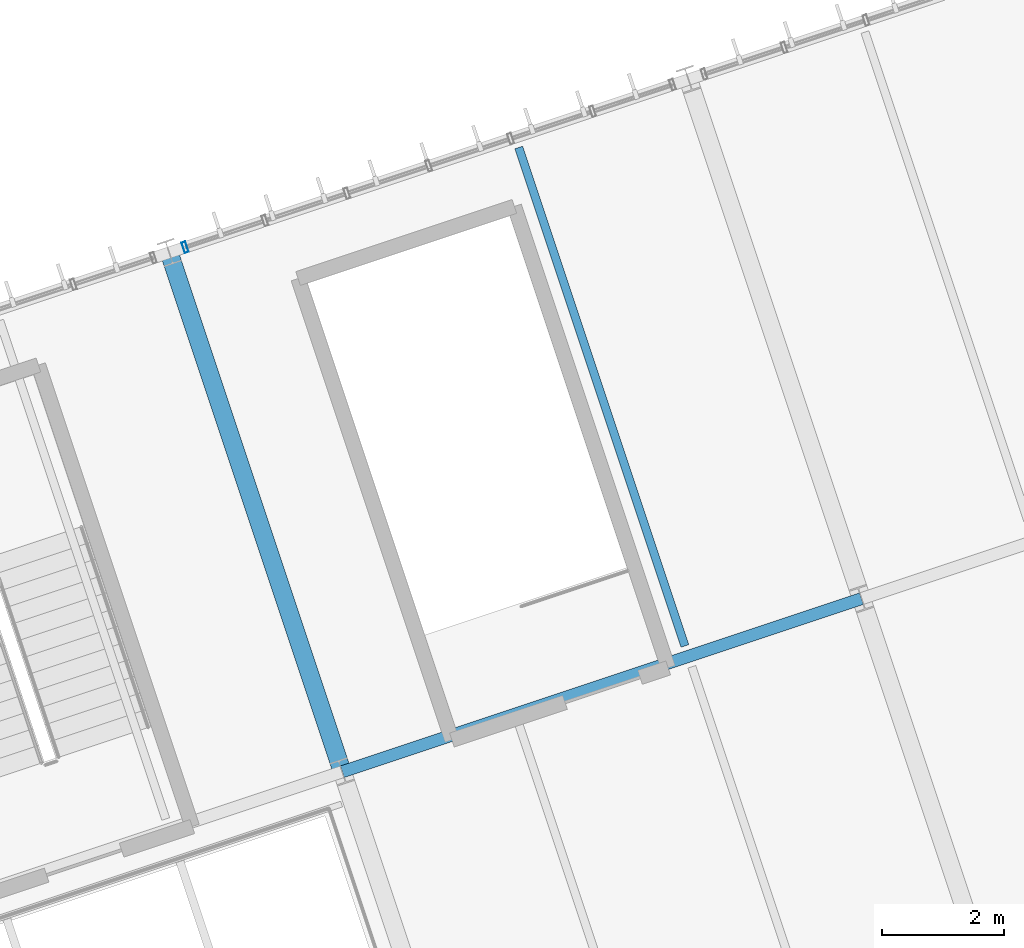
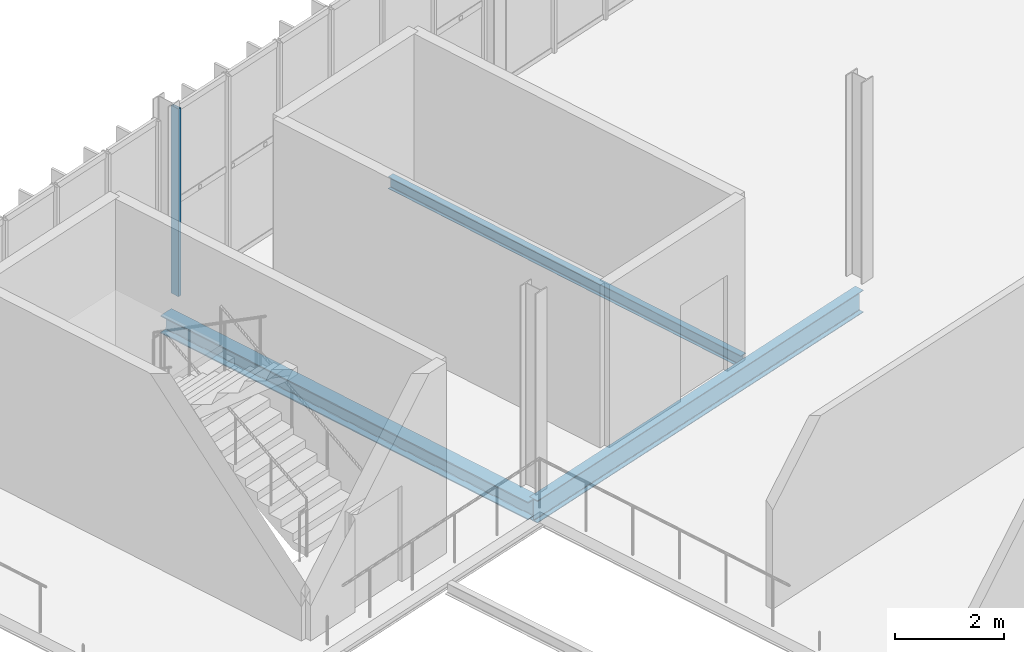
# One storey, part 88 of 152: 3 beams, 1 member, 1 element without a shape of its own.
"""IFC4 building model written with IfcOpenShell, lengths in metres."""

from ifc_helpers import new_model, si_unit, derived_unit, direction, frame, origin, origin_2d, place, context, subcontext, project, spatial, hollow_rectangle, i_section, extrude, material, material_profile, profile_set, type_object, element, aggregate, save


model = new_model("IFC4")

# Units and contexts
model_context = context("Model", 3, precision=1e-05, world=origin(), true_north=direction((0.0, 1.0)))
body_context = subcontext(model_context, "Body", "Model", "MODEL_VIEW")
ifc_project = project(units=[si_unit("LENGTHUNIT", "METRE"), si_unit("AREAUNIT", "SQUARE_METRE"), si_unit("VOLUMEUNIT", "CUBIC_METRE"), si_unit("PLANEANGLEUNIT", "RADIAN"), si_unit("MASSUNIT", "GRAM", prefix="KILO"), si_unit("THERMODYNAMICTEMPERATUREUNIT", "KELVIN"), si_unit("TIMEUNIT", "SECOND"), derived_unit("THERMALTRANSMITTANCEUNIT", [(si_unit("MASSUNIT", "GRAM", prefix="KILO"), 1), (si_unit("THERMODYNAMICTEMPERATUREUNIT", "KELVIN"), -1), (si_unit("TIMEUNIT", "SECOND"), -3)])], contexts=[model_context])

# Site, building, storey
site_placement = place(None, origin())
site = spatial("IfcSite", under=ifc_project, at=site_placement, CompositionType="ELEMENT")
building_placement = place(site_placement, origin())
building = spatial("IfcBuilding", under=site, at=building_placement, Name="Cambertide Market Hall", CompositionType="ELEMENT")
storey_placement = place(building_placement, frame((0.0, 0.0, 5.39990234375)))
storey = spatial("IfcBuildingStorey", under=building, at=storey_placement, Name="L02", CompositionType="ELEMENT", Elevation=5.39990234375)

# Curtain wall, member
ifc_material_1 = material(Name="Marine Anodized Aluminium 6063-T6 AA25", Category="aluminium")
curtain_wall_type = type_object("IfcCurtainWallType", Name="Food Court Upper Glazed Facade", PredefinedType="USERDEFINED", material=ifc_material_1)
curtain_wall_placement = place(storey_placement, origin())
curtain_wall = element("IfcCurtainWall", 1, at=curtain_wall_placement, inside=storey, type_object=curtain_wall_type, Name="Level 2 Curtain Wall CW-V3N-L02-6", ObjectType="UNITIZED CURTAIN WALL", PredefinedType="USERDEFINED")
ifc_material_2 = material(Name="Champagne Marine Anodized Aluminium 6063-T6 AA25", Category="aluminium")
ifc_material_profile_1 = material_profile(ifc_material_2, hollow_rectangle(XDim=0.06494140625, YDim=0.179931640625, WallThickness=0.00390625, at=origin_2d()), Name="ALU MULLION 65x180")
ifc_profile_set_1 = profile_set([ifc_material_profile_1], Name="Champagne Marine Anodized Aluminium 6063-T6 AA25")
member_type = type_object("IfcMemberType", Name="Curtain Wall Mullion ALU MULLION 65x180", PredefinedType="MULLION", material=ifc_profile_set_1)
member_placement = place(storey_placement, frame((140.41357421875, 51.931640625, 0.0), z_axis=(0.0, 0.0, 1.0), x_axis=(0.948683274577, 0.316227836438, 0.0)))
member = element("IfcMember", 2, at=member_placement, type_object=member_type, Name="CW-V3N-L02-6 Mullion 1", PredefinedType="MULLION", context=body_context, shape_type="SweptSolid", body=[
    extrude(hollow_rectangle(XDim=0.06494140625, YDim=0.179931640625, WallThickness=0.00390625, at=origin_2d()), origin(), (0.0, 0.0, 1.0), 4.2001953125),
])
aggregate(curtain_wall, [member])

# Beams
ifc_material_3 = material(Name="Steel S355", Category="steel")
ifc_material_profile_2 = material_profile(ifc_material_3, i_section(OverallWidth=0.300048828125, OverallDepth=0.39990234375, WebThickness=0.013427734375, FlangeThickness=0.02392578125, FilletRadius=0.027099609375, at=origin_2d()), Name="HEB 400")
ifc_profile_set_2 = profile_set([ifc_material_profile_2], Name="Steel S355")
beam_type_1 = type_object("IfcBeamType", Name="Steel Girder HEB 400", PredefinedType="BEAM", material=ifc_profile_set_2)
beam_1_placement = place(storey_placement, frame((142.99853515625, 43.306640625, -0.449951171875), z_axis=(-0.3162196279, 0.948686010717, 0.0), x_axis=(-0.948686010717, -0.3162196279, 0.0)))
element("IfcBeam", 3, at=beam_1_placement, inside=storey, type_object=beam_type_1, Name="Level 2 Beam BM-V3V-L02-6-3", PredefinedType="BEAM", context=body_context, shape_type="SweptSolid", body=[
    extrude(i_section(OverallWidth=0.300048828125, OverallDepth=0.39990234375, WebThickness=0.013427734375, FlangeThickness=0.02392578125, FilletRadius=0.027099609375, at=origin_2d()), origin(), (0.0, 0.0, 1.0), 9.0),
])
ifc_material_4 = material(Name="Steel S355", Category="steel")
ifc_material_profile_3 = material_profile(ifc_material_4, i_section(OverallWidth=0.199951171875, OverallDepth=0.5, WebThickness=0.01025390625, FlangeThickness=0.01611328125, FilletRadius=0.02099609375, at=origin_2d()), Name="IPE 500")
ifc_profile_set_3 = profile_set([ifc_material_profile_3], Name="Steel S355")
beam_type_2 = type_object("IfcBeamType", Name="Steel Girder IPE 500", PredefinedType="BEAM", material=ifc_profile_set_3)
beam_2_placement = place(storey_placement, frame((142.99853515625, 43.306640625, -0.5), z_axis=(0.948688723175, 0.316211490179, 0.0), x_axis=(-0.316211490179, 0.948688723175, 0.0)))
element("IfcBeam", 4, at=beam_2_placement, inside=storey, type_object=beam_type_2, Name="Level 2 Beam BM-V3U-L02-6-3", PredefinedType="BEAM", context=body_context, shape_type="SweptSolid", body=[
    extrude(i_section(OverallWidth=0.199951171875, OverallDepth=0.5, WebThickness=0.01025390625, FlangeThickness=0.01611328125, FilletRadius=0.02099609375, at=origin_2d()), origin(), (0.0, 0.0, 1.0), 9.000244140625),
])
ifc_material_5 = material(Name="Steel S275", Category="steel")
ifc_material_profile_4 = material_profile(ifc_material_5, i_section(OverallWidth=0.135009765625, OverallDepth=0.27001953125, WebThickness=0.006591796875, FlangeThickness=0.01025390625, FilletRadius=0.014892578125, at=origin_2d()), Name="IPE 270")
ifc_profile_set_4 = profile_set([ifc_material_profile_4], Name="Steel S275")
beam_type_3 = type_object("IfcBeamType", Name="Steel Secondary Joist IPE 270", PredefinedType="JOIST", material=ifc_profile_set_4)
beam_3_placement = place(storey_placement, frame((148.6337890625, 45.374755859375, -0.385009765625), z_axis=(-0.316227766017, 0.948683298051, 0.0), x_axis=(-0.948683298051, -0.316227766017, 0.0)))
element("IfcBeam", 5, at=beam_3_placement, inside=storey, type_object=beam_type_3, Name="Level 2 Joist JS-V3-L02-6-3-2", PredefinedType="JOIST", context=body_context, shape_type="SweptSolid", body=[
    extrude(i_section(OverallWidth=0.135009765625, OverallDepth=0.27001953125, WebThickness=0.006591796875, FlangeThickness=0.01025390625, FilletRadius=0.014892578125, at=origin_2d()), origin(), (0.0, 0.0, 1.0), 8.639892578125),
])

save(model, "model.ifc")
